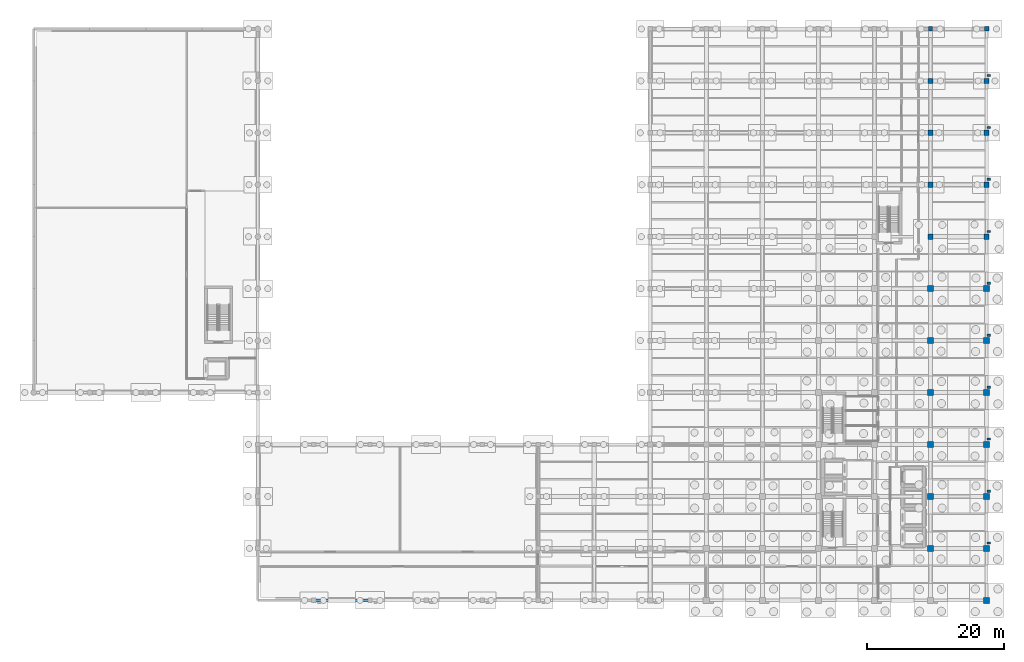
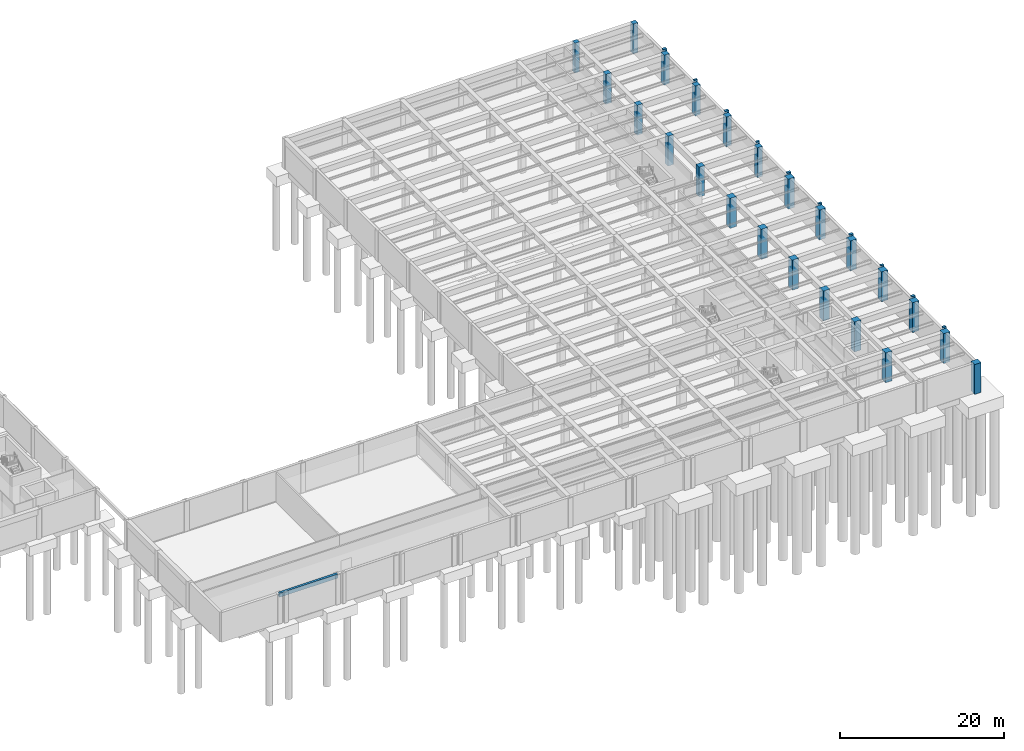
# One storey, part 11 of 29: 33 columns, 1 beam.
"""IFC4 building model written with IfcOpenShell, lengths in metres."""

from ifc_helpers import new_model, si_unit, direction, frame, origin, origin_2d, place, context, subcontext, project, spatial, rectangle, extrude, material, material_profile, profile_set, type_object, element, save


model = new_model("IFC4")

# Units and contexts
model_context = context("Model", 3, precision=1e-05, world=origin(), true_north=direction((0.0, 1.0)))
body_context = subcontext(model_context, "Body", "Model", "MODEL_VIEW")
ifc_project = project(units=[si_unit("LENGTHUNIT", "METRE"), si_unit("AREAUNIT", "SQUARE_METRE"), si_unit("VOLUMEUNIT", "CUBIC_METRE"), si_unit("PLANEANGLEUNIT", "RADIAN"), si_unit("MASSUNIT", "GRAM", prefix="KILO")], contexts=[model_context])

# Site, building, storey
site_placement = place(None, origin())
site = spatial("IfcSite", under=ifc_project, at=site_placement, CompositionType="ELEMENT")
building_placement = place(site_placement, origin())
building = spatial("IfcBuilding", under=site, at=building_placement, Name="Qandaris Square Conservatory and Botanical Centre", CompositionType="ELEMENT")
storey_placement = place(building_placement, frame((0.0, 0.0, -4.800048828125)))
storey = spatial("IfcBuildingStorey", under=building, at=storey_placement, Name="B1", CompositionType="ELEMENT", Elevation=-4.800048828125)

# Columns
ifc_material = material(Name="Concrete C50/60", Category="concrete")
ifc_material_profile_1 = material_profile(ifc_material, rectangle(XDim=0.449951171875, YDim=0.300048828125, at=origin_2d()), Name="RC-PIL 450x300")
ifc_profile_set_1 = profile_set([ifc_material_profile_1], Name="Concrete C50/60")
column_type_1 = type_object("IfcColumnType", Name="Engaged Prairie Pilaster 450x300", PredefinedType="PILASTER", material=ifc_profile_set_1)
for number, where, z_axis, x_axis, name in (
    (1, (164.1201171875, 24.97998046875, 0.0), (0.0, 0.0, 1.0), (1.0, 0.0, 0.0), "Prairie Pilaster 11 (B1)"),
    (2, (164.1201171875, 40.179931640625, 0.0), (0.0, 0.0, 1.0), (1.0, 0.0, 0.0), "Prairie Pilaster 13 (B1)"),
    (3, (164.1201171875, 55.3798828125, 0.0), (0.0, 0.0, 1.0), (1.0, 0.0, 0.0), "Prairie Pilaster 15 (B1)"),
    (4, (164.1201171875, 70.580078125, 0.0), (0.0, 0.0, 1.0), (1.0, 0.0, 0.0), "Prairie Pilaster 17 (B1)"),
    (5, (164.1201171875, 85.780029296875, 0.0), (0.0, 0.0, 1.0), (1.0, 0.0, 0.0), "Prairie Pilaster 19 (B1)"),
):
    element("IfcColumn", number, at=place(storey_placement, frame(where, z_axis=z_axis, x_axis=x_axis)), inside=storey, type_object=column_type_1, Name=name, PredefinedType="PILASTER", context=body_context, shape_type="SweptSolid", body=[
        extrude(rectangle(XDim=0.449951171875, YDim=0.300048828125, at=origin_2d()), origin(), (0.0, 0.0, 1.0), 4.56494140625),
    ])
ifc_material_profile_2 = material_profile(ifc_material, rectangle(XDim=0.5, YDim=0.35009765625, at=origin_2d()), Name="RC-PIL 500x350")
ifc_profile_set_2 = profile_set([ifc_material_profile_2], Name="Concrete C50/60")
column_type_2 = type_object("IfcColumnType", Name="Engaged Prairie Pilaster 500x350", PredefinedType="PILASTER", material=ifc_profile_set_2)
for number, where, z_axis, x_axis, name in (
    (6, (164.1201171875, 32.580078125, 0.0), (0.0, 0.0, 1.0), (1.0, 0.0, 0.0), "Prairie Pilaster 12 (B1)"),
    (7, (164.1201171875, 47.780029296875, 0.0), (0.0, 0.0, 1.0), (1.0, 0.0, 0.0), "Prairie Pilaster 14 (B1)"),
    (8, (164.1201171875, 62.97998046875, 0.0), (0.0, 0.0, 1.0), (1.0, 0.0, 0.0), "Prairie Pilaster 16 (B1)"),
    (9, (164.1201171875, 78.179931640625, 0.0), (0.0, 0.0, 1.0), (1.0, 0.0, 0.0), "Prairie Pilaster 18 (B1)"),
    (10, (164.1201171875, 93.3798828125, 0.0), (0.0, 0.0, 1.0), (1.0, 0.0, 0.0), "Prairie Pilaster 20 (B1)"),
):
    element("IfcColumn", number, at=place(storey_placement, frame(where, z_axis=z_axis, x_axis=x_axis)), inside=storey, type_object=column_type_2, Name=name, PredefinedType="PILASTER", context=body_context, shape_type="SweptSolid", body=[
        extrude(rectangle(XDim=0.5, YDim=0.35009765625, at=origin_2d()), origin(), (0.0, 0.0, 1.0), 4.56494140625),
    ])
ifc_material_profile_3 = material_profile(ifc_material, rectangle(XDim=0.64990234375, YDim=0.64990234375, at=origin_2d()), Name="RC-COL 650x650")
ifc_profile_set_3 = profile_set([ifc_material_profile_3], Name="Concrete C50/60")
column_type_3 = type_object("IfcColumnType", Name="RC Column 650x650", PredefinedType="COLUMN", material=ifc_profile_set_3)
for number, where, z_axis, x_axis, name in (
    (11, (155.60009765625, 100.199951171875, 0.0), (0.0, 0.0, 1.0), (1.0, 0.0, 0.0), "Column N19 (B1)"),
    (12, (163.800048828125, 100.199951171875, 0.0), (0.0, 0.0, 1.0), (1.0, 0.0, 0.0), "Column N20 (B1)"),
):
    element("IfcColumn", number, at=place(storey_placement, frame(where, z_axis=z_axis, x_axis=x_axis)), inside=storey, type_object=column_type_3, Name=name, PredefinedType="COLUMN", context=body_context, shape_type="SweptSolid", body=[
        extrude(rectangle(XDim=0.64990234375, YDim=0.64990234375, at=origin_2d()), origin(), (0.0, 0.0, 1.0), 4.4599609375),
    ])
ifc_material_profile_4 = material_profile(ifc_material, rectangle(XDim=0.75, YDim=0.75, at=origin_2d()), Name="RC-COL 750x750")
ifc_profile_set_4 = profile_set([ifc_material_profile_4], Name="Concrete C50/60")
column_type_4 = type_object("IfcColumnType", Name="RC Column 750x750", PredefinedType="COLUMN", material=ifc_profile_set_4)
for number, where, z_axis, x_axis, name in (
    (13, (155.60009765625, 69.800048828125, 0.0), (0.0, 0.0, 1.0), (1.0, 0.0, 0.0), "Column J19 (B1)"),
    (14, (155.60009765625, 77.39990234375, 0.0), (0.0, 0.0, 1.0), (1.0, 0.0, 0.0), "Column K19 (B1)"),
    (15, (155.60009765625, 85.0, 0.0), (0.0, 0.0, 1.0), (1.0, 0.0, 0.0), "Column L19 (B1)"),
    (16, (155.60009765625, 92.60009765625, 0.0), (0.0, 0.0, 1.0), (1.0, 0.0, 0.0), "Column M19 (B1)"),
    (17, (163.800048828125, 69.800048828125, 0.0), (0.0, 0.0, 1.0), (1.0, 0.0, 0.0), "Column J20 (B1)"),
    (18, (163.800048828125, 77.39990234375, 0.0), (0.0, 0.0, 1.0), (1.0, 0.0, 0.0), "Column K20 (B1)"),
    (19, (163.800048828125, 85.0, 0.0), (0.0, 0.0, 1.0), (1.0, 0.0, 0.0), "Column L20 (B1)"),
    (20, (163.800048828125, 92.60009765625, 0.0), (0.0, 0.0, 1.0), (1.0, 0.0, 0.0), "Column M20 (B1)"),
):
    element("IfcColumn", number, at=place(storey_placement, frame(where, z_axis=z_axis, x_axis=x_axis)), inside=storey, type_object=column_type_4, Name=name, PredefinedType="COLUMN", context=body_context, shape_type="SweptSolid", body=[
        extrude(rectangle(XDim=0.75, YDim=0.75, at=origin_2d()), origin(), (0.0, 0.0, 1.0), 4.4599609375),
    ])
ifc_material_profile_5 = material_profile(ifc_material, rectangle(XDim=0.89990234375, YDim=0.89990234375, at=origin_2d()), Name="RC-COL 900x900")
ifc_profile_set_5 = profile_set([ifc_material_profile_5], Name="Concrete C50/60")
column_type_5 = type_object("IfcColumnType", Name="RC Column 900x900", PredefinedType="COLUMN", material=ifc_profile_set_5)
for number, where, z_axis, x_axis, name in (
    (21, (155.60009765625, 24.199951171875, 0.0), (0.0, 0.0, 1.0), (1.0, 0.0, 0.0), "Column C19 (B1)"),
    (22, (155.60009765625, 31.800048828125, 0.0), (0.0, 0.0, 1.0), (1.0, 0.0, 0.0), "Column D19 (B1)"),
    (23, (155.60009765625, 39.39990234375, 0.0), (0.0, 0.0, 1.0), (1.0, 0.0, 0.0), "Column E19 (B1)"),
    (24, (155.60009765625, 47.0, 0.0), (0.0, 0.0, 1.0), (1.0, 0.0, 0.0), "Column F19 (B1)"),
    (25, (155.60009765625, 54.60009765625, 0.0), (0.0, 0.0, 1.0), (1.0, 0.0, 0.0), "Column G19 (B1)"),
    (26, (155.60009765625, 62.199951171875, 0.0), (0.0, 0.0, 1.0), (1.0, 0.0, 0.0), "Column H19 (B1)"),
    (27, (163.800048828125, 16.60009765625, 0.0), (0.0, 0.0, 1.0), (1.0, 0.0, 0.0), "Column B20 (B1)"),
    (28, (163.800048828125, 24.199951171875, 0.0), (0.0, 0.0, 1.0), (1.0, 0.0, 0.0), "Column C20 (B1)"),
    (29, (163.800048828125, 31.800048828125, 0.0), (0.0, 0.0, 1.0), (1.0, 0.0, 0.0), "Column D20 (B1)"),
    (30, (163.800048828125, 39.39990234375, 0.0), (0.0, 0.0, 1.0), (1.0, 0.0, 0.0), "Column E20 (B1)"),
    (31, (163.800048828125, 47.0, 0.0), (0.0, 0.0, 1.0), (1.0, 0.0, 0.0), "Column F20 (B1)"),
    (32, (163.800048828125, 54.60009765625, 0.0), (0.0, 0.0, 1.0), (1.0, 0.0, 0.0), "Column G20 (B1)"),
    (33, (163.800048828125, 62.199951171875, 0.0), (0.0, 0.0, 1.0), (1.0, 0.0, 0.0), "Column H20 (B1)"),
):
    element("IfcColumn", number, at=place(storey_placement, frame(where, z_axis=z_axis, x_axis=x_axis)), inside=storey, type_object=column_type_5, Name=name, PredefinedType="COLUMN", context=body_context, shape_type="SweptSolid", body=[
        extrude(rectangle(XDim=0.89990234375, YDim=0.89990234375, at=origin_2d()), origin(), (0.0, 0.0, 1.0), 4.4599609375),
    ])

# Beam
ifc_material_profile_6 = material_profile(ifc_material, rectangle(XDim=0.35009765625, YDim=0.60009765625, at=origin_2d()), Name="RC-SP 350x600")
ifc_profile_set_6 = profile_set([ifc_material_profile_6], Name="Concrete C50/60")
beam_type = type_object("IfcBeamType", Name="RC Edge Spandrel Beam 350x600", PredefinedType="SPANDREL", material=ifc_profile_set_6)
beam_placement = place(storey_placement, frame((65.39990234375, 16.60009765625, 4.16015625), z_axis=(1.0, 0.0, 0.0), x_axis=(0.0, 1.0, 0.0)))
element("IfcBeam", 34, at=beam_placement, inside=storey, type_object=beam_type, Name="B1 Frame Beam 0001", PredefinedType="SPANDREL", context=body_context, shape_type="SweptSolid", body=[
    extrude(rectangle(XDim=0.35009765625, YDim=0.60009765625, at=origin_2d()), origin(), (0.0, 0.0, 1.0), 8.2001953125),
])

save(model, "model.ifc")
